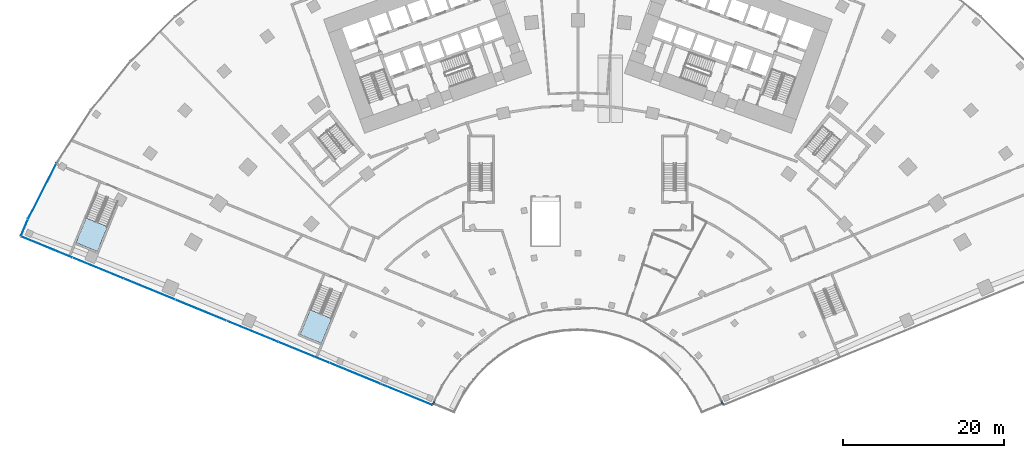
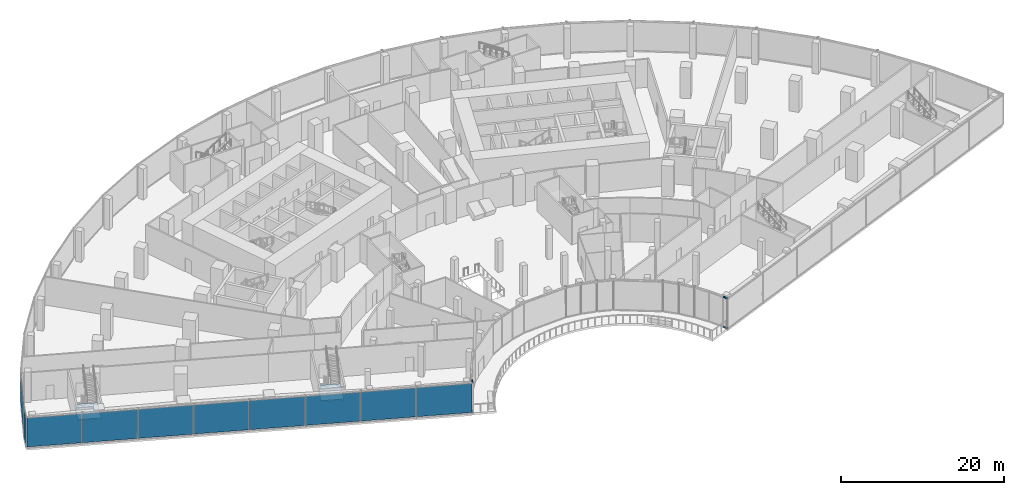
# One storey, part 17 of 40: 10 plates, 4 members, 2 slabs, 5 elements without a shape of their own.
"""IFC4 building model written with IfcOpenShell, lengths in metres."""

from ifc_helpers import new_model, si_unit, direction, frame, origin, origin_2d, place, context, subcontext, project, spatial, polyline, rectangle, outline, extrude, material, layer, layer_set, material_profile, profile_set, type_object, element, aggregate, save


model = new_model("IFC4")

# Units and contexts
model_context = context("Model", 3, precision=1e-05, world=origin(), true_north=direction((0.0, 1.0)))
body_context = subcontext(model_context, "Body", "Model", "MODEL_VIEW")
ifc_project = project(units=[si_unit("LENGTHUNIT", "METRE"), si_unit("AREAUNIT", "SQUARE_METRE"), si_unit("VOLUMEUNIT", "CUBIC_METRE"), si_unit("PLANEANGLEUNIT", "RADIAN"), si_unit("MASSUNIT", "GRAM", prefix="KILO")], contexts=[model_context])

# Site, building, storey
site_placement = place(None, origin())
site = spatial("IfcSite", under=ifc_project, at=site_placement, CompositionType="ELEMENT")
building_placement = place(site_placement, origin())
building = spatial("IfcBuilding", under=site, at=building_placement, Name="Stone Belt Terrace Tower", CompositionType="ELEMENT")
storey_placement = place(building_placement, frame((0.0, 0.0, 7.0)))
storey = spatial("IfcBuildingStorey", under=building, at=storey_placement, Name="L01", CompositionType="ELEMENT", Elevation=7.0)

# Curtain wall, members
ifc_material_1 = material(Name="Aluminium 6063-T6 anodised frame", Category="aluminium")
ifc_layer_1 = layer(ifc_material_1, 0.14990234375)
ifc_layer_set_1 = layer_set([ifc_layer_1], Name="CW-D podium shopfront")
curtain_wall_type = type_object("IfcCurtainWallType", Name="CW-D podium shopfront", PredefinedType="NOTDEFINED", material=ifc_layer_set_1)
curtain_wall_1_placement = place(storey_placement, origin())
curtain_wall_1 = element("IfcCurtainWall", 1, at=curtain_wall_1_placement, inside=storey, type_object=curtain_wall_type, Name="CW-D concave face L01", PredefinedType="NOTDEFINED")
ifc_material_profile = material_profile(ifc_material_1, rectangle(XDim=0.14990234375, YDim=0.139892578125, at=origin_2d()), Name="Aluminium 6063-T6 150x140")
ifc_profile_set = profile_set([ifc_material_profile], Name="Aluminium 6063-T6 anodised frame")
member_type = type_object("IfcMemberType", Name="CW-D transom 140 x 150", PredefinedType="USERDEFINED", material=ifc_profile_set)
member_1_placement = place(storey_placement, frame((-17.974365234375, 7.365966796875, 0.070068359375), z_axis=(0.393112266117, 0.919490481859, 0.0), x_axis=(-0.919490481859, 0.393112266117, 0.0)))
member_1 = element("IfcMember", 2, at=member_1_placement, type_object=member_type, Name="CW-D transom 1.1", ObjectType="TRANSOM", PredefinedType="USERDEFINED", context=body_context, shape_type="SweptSolid", body=[
    extrude(rectangle(XDim=0.14990234375, YDim=0.139892578125, at=origin_2d()), origin(), (0.0, 0.0, 1.0), 0.5478515625),
])
member_2_placement = place(storey_placement, frame((-17.974365234375, 7.365966796875, 4.530029296875), z_axis=(0.393112266117, 0.919490481859, 0.0), x_axis=(-0.919490481859, 0.393112266117, 0.0)))
member_2 = element("IfcMember", 3, at=member_2_placement, type_object=member_type, Name="CW-D transom 1.2", ObjectType="TRANSOM", PredefinedType="USERDEFINED", context=body_context, shape_type="SweptSolid", body=[
    extrude(rectangle(XDim=0.14990234375, YDim=0.139892578125, at=origin_2d()), origin(), (0.0, 0.0, 1.0), 0.5478515625),
])
member_3_placement = place(storey_placement, frame((17.759033203125, 7.86962890625, 0.070068359375), z_axis=(0.393112266117, -0.919490481859, 0.0), x_axis=(0.919490481859, 0.393112266117, 0.0)))
member_3 = element("IfcMember", 4, at=member_3_placement, type_object=member_type, Name="CW-D transom 18.1", ObjectType="TRANSOM", PredefinedType="USERDEFINED", context=body_context, shape_type="SweptSolid", body=[
    extrude(rectangle(XDim=0.14990234375, YDim=0.139892578125, at=origin_2d()), origin(), (0.0, 0.0, 1.0), 0.5478515625),
])
member_4_placement = place(storey_placement, frame((17.759033203125, 7.86962890625, 4.530029296875), z_axis=(0.393112266117, -0.919490481859, 0.0), x_axis=(0.919490481859, 0.393112266117, 0.0)))
member_4 = element("IfcMember", 5, at=member_4_placement, type_object=member_type, Name="CW-D transom 18.2", ObjectType="TRANSOM", PredefinedType="USERDEFINED", context=body_context, shape_type="SweptSolid", body=[
    extrude(rectangle(XDim=0.14990234375, YDim=0.139892578125, at=origin_2d()), origin(), (0.0, 0.0, 1.0), 0.5478515625),
])
aggregate(curtain_wall_1, [member_1, member_2, member_3, member_4])

# Curtain wall, plates
curtain_wall_2_placement = place(storey_placement, origin())
curtain_wall_2 = element("IfcCurtainWall", 6, at=curtain_wall_2_placement, inside=storey, type_object=curtain_wall_type, Name="CW-D convex face L01", PredefinedType="NOTDEFINED")
ifc_material_2 = material(Name="Clear double glazed unit")
ifc_layer_2 = layer(ifc_material_2, 0.031982421875)
ifc_layer_set_2 = layer_set([ifc_layer_2], Name="CW-D glass panel 32")
plate_type = type_object("IfcPlateType", Name="CW-D glass panel 32", PredefinedType="CURTAIN_PANEL", material=ifc_layer_set_2)
plate_1_placement = place(storey_placement, frame((-66.355712890625, 33.81005859375, 0.14013671875), z_axis=(0.0, 0.0, 1.0), x_axis=(-0.45399049974, -0.891006524188, 0.0)))
plate_1 = element("IfcPlate", 7, at=plate_1_placement, type_object=plate_type, Name="CW-D panel 23.1", PredefinedType="CURTAIN_PANEL", context=body_context, shape_type="SweptSolid", body=[
    extrude(rectangle(XDim=7.738037109375, YDim=0.031982421875, at=origin_2d()), origin(), (0.0, 0.0, 1.0), 4.320068359375),
])
plate_2_placement = place(storey_placement, frame((-68.572021484375, 29.292724609375, 0.14013671875), z_axis=(0.0, 0.0, 1.0), x_axis=(-0.393033792222, -0.919524028056, 0.0)))
plate_2 = element("IfcPlate", 8, at=plate_2_placement, type_object=plate_type, Name="CW-D panel 24.1", PredefinedType="CURTAIN_PANEL", context=body_context, shape_type="SweptSolid", body=[
    extrude(rectangle(XDim=2.19921875, YDim=0.031982421875, at=origin_2d()), origin(), (0.0, 0.0, 1.0), 4.320068359375),
])
aggregate(curtain_wall_2, [plate_1, plate_2])

curtain_wall_3_placement = place(storey_placement, origin())
curtain_wall_3 = element("IfcCurtainWall", 9, at=curtain_wall_3_placement, inside=storey, type_object=curtain_wall_type, Name="CW-D end face L01", PredefinedType="NOTDEFINED")
plate_3_placement = place(storey_placement, frame((-65.797119140625, 26.886474609375, 0.14013671875), z_axis=(0.0, 0.0, 1.0), x_axis=(0.925297074342, -0.379243093825, 0.0)))
plate_3 = element("IfcPlate", 10, at=plate_3_placement, type_object=plate_type, Name="CW-D panel 1.1", PredefinedType="CURTAIN_PANEL", context=body_context, shape_type="SweptSolid", body=[
    extrude(rectangle(XDim=6.8466796875, YDim=0.031982421875, at=origin_2d()), origin(), (0.0, 0.0, 1.0), 4.320068359375),
])
plate_4_placement = place(storey_placement, frame((-59.4208984375, 24.273193359375, 0.14013671875), z_axis=(0.0, 0.0, 1.0), x_axis=(0.925297074342, -0.379243093825, 0.0)))
plate_4 = element("IfcPlate", 11, at=plate_4_placement, type_object=plate_type, Name="CW-D panel 2.1", PredefinedType="CURTAIN_PANEL", context=body_context, shape_type="SweptSolid", body=[
    extrude(rectangle(XDim=6.81494140625, YDim=0.031982421875, at=origin_2d()), origin(), (0.0, 0.0, 1.0), 4.320068359375),
])
plate_5_placement = place(storey_placement, frame((-53.0595703125, 21.666015625, 0.14013671875), z_axis=(0.0, 0.0, 1.0), x_axis=(0.925297074342, -0.379243093825, 0.0)))
plate_5 = element("IfcPlate", 12, at=plate_5_placement, type_object=plate_type, Name="CW-D panel 3.1", PredefinedType="CURTAIN_PANEL", context=body_context, shape_type="SweptSolid", body=[
    extrude(rectangle(XDim=6.81494140625, YDim=0.031982421875, at=origin_2d()), origin(), (0.0, 0.0, 1.0), 4.320068359375),
])
plate_6_placement = place(storey_placement, frame((-46.697998046875, 19.05859375, 0.14013671875), z_axis=(0.0, 0.0, 1.0), x_axis=(0.925297074342, -0.379243093825, 0.0)))
plate_6 = element("IfcPlate", 13, at=plate_6_placement, type_object=plate_type, Name="CW-D panel 4.1", PredefinedType="CURTAIN_PANEL", context=body_context, shape_type="SweptSolid", body=[
    extrude(rectangle(XDim=6.81494140625, YDim=0.031982421875, at=origin_2d()), origin(), (0.0, 0.0, 1.0), 4.320068359375),
])
plate_7_placement = place(storey_placement, frame((-40.336669921875, 16.451416015625, 0.14013671875), z_axis=(0.0, 0.0, 1.0), x_axis=(0.925297074342, -0.379243093825, 0.0)))
plate_7 = element("IfcPlate", 14, at=plate_7_placement, type_object=plate_type, Name="CW-D panel 5.1", PredefinedType="CURTAIN_PANEL", context=body_context, shape_type="SweptSolid", body=[
    extrude(rectangle(XDim=6.81494140625, YDim=0.031982421875, at=origin_2d()), origin(), (0.0, 0.0, 1.0), 4.320068359375),
])
plate_8_placement = place(storey_placement, frame((-33.975341796875, 13.843994140625, 0.14013671875), z_axis=(0.0, 0.0, 1.0), x_axis=(0.925297074342, -0.379243093825, 0.0)))
plate_8 = element("IfcPlate", 15, at=plate_8_placement, type_object=plate_type, Name="CW-D panel 6.1", PredefinedType="CURTAIN_PANEL", context=body_context, shape_type="SweptSolid", body=[
    extrude(rectangle(XDim=6.81494140625, YDim=0.031982421875, at=origin_2d()), origin(), (0.0, 0.0, 1.0), 4.320068359375),
])
plate_9_placement = place(storey_placement, frame((-27.61376953125, 11.23681640625, 0.14013671875), z_axis=(0.0, 0.0, 1.0), x_axis=(0.925297074342, -0.379243093825, 0.0)))
plate_9 = element("IfcPlate", 16, at=plate_9_placement, type_object=plate_type, Name="CW-D panel 7.1", PredefinedType="CURTAIN_PANEL", context=body_context, shape_type="SweptSolid", body=[
    extrude(rectangle(XDim=6.81494140625, YDim=0.031982421875, at=origin_2d()), origin(), (0.0, 0.0, 1.0), 4.320068359375),
])
plate_10_placement = place(storey_placement, frame((-21.238525390625, 8.623779296875, 0.14013671875), z_axis=(0.0, 0.0, 1.0), x_axis=(0.925297074342, -0.379243093825, 0.0)))
plate_10 = element("IfcPlate", 17, at=plate_10_placement, type_object=plate_type, Name="CW-D panel 8.1", PredefinedType="CURTAIN_PANEL", context=body_context, shape_type="SweptSolid", body=[
    extrude(rectangle(XDim=6.844970703125, YDim=0.031982421875, at=origin_2d()), origin(), (0.0, 0.0, 1.0), 4.320068359375),
])
aggregate(curtain_wall_3, [plate_3, plate_4, plate_5, plate_6, plate_7, plate_8, plate_9, plate_10])

# Stair, slab
ifc_material_3 = material(Name="Concrete B30", Category="concrete")
stair_type = type_object("IfcStairType", Name="Podium stair concrete B30", PredefinedType="HALF_TURN_STAIR", material=ifc_material_3)
stair_1_placement = place(storey_placement, origin())
stair_1 = element("IfcStair", 18, at=stair_1_placement, inside=storey, type_object=stair_type, Name="L01 podium exit stair 1", PredefinedType="HALF_TURN_STAIR")
ifc_layer_3 = layer(ifc_material_3, 0.199951171875)
ifc_layer_set_3 = layer_set([ifc_layer_3], Name="Podium stair landing concrete B30")
slab_type = type_object("IfcSlabType", Name="Podium stair landing concrete B30", PredefinedType="LANDING", material=ifc_layer_set_3)
slab_1_placement = place(storey_placement, frame((0.0, 0.0, 2.10009765625)))
slab_1 = element("IfcSlab", 19, at=slab_1_placement, type_object=slab_type, Name="PS1 landing 1", PredefinedType="LANDING", context=body_context, shape_type="SweptSolid", body=[
    extrude(outline(polyline([(-33.15283203125, 19.11376953125), (-34.4091796875, 16.04833984375), (-31.772216796875, 14.967529296875), (-30.515625, 18.032958984375), (-33.15283203125, 19.11376953125)])), origin(), (0.0, 0.0, 1.0), 0.199951171875),
])
aggregate(stair_1, [slab_1])

stair_2_placement = place(storey_placement, origin())
stair_2 = element("IfcStair", 20, at=stair_2_placement, inside=storey, type_object=stair_type, Name="L01 podium exit stair 2", PredefinedType="HALF_TURN_STAIR")
slab_2_placement = place(storey_placement, frame((0.0, 0.0, 2.10009765625)))
slab_2 = element("IfcSlab", 21, at=slab_2_placement, type_object=slab_type, Name="PS2 landing 1", PredefinedType="LANDING", context=body_context, shape_type="SweptSolid", body=[
    extrude(outline(polyline([(-60.91162109375, 30.4912109375), (-62.168212890625, 27.425537109375), (-59.531005859375, 26.3447265625), (-58.274658203125, 29.410400390625), (-60.91162109375, 30.4912109375)])), origin(), (0.0, 0.0, 1.0), 0.199951171875),
])
aggregate(stair_2, [slab_2])

save(model, "model.ifc")
